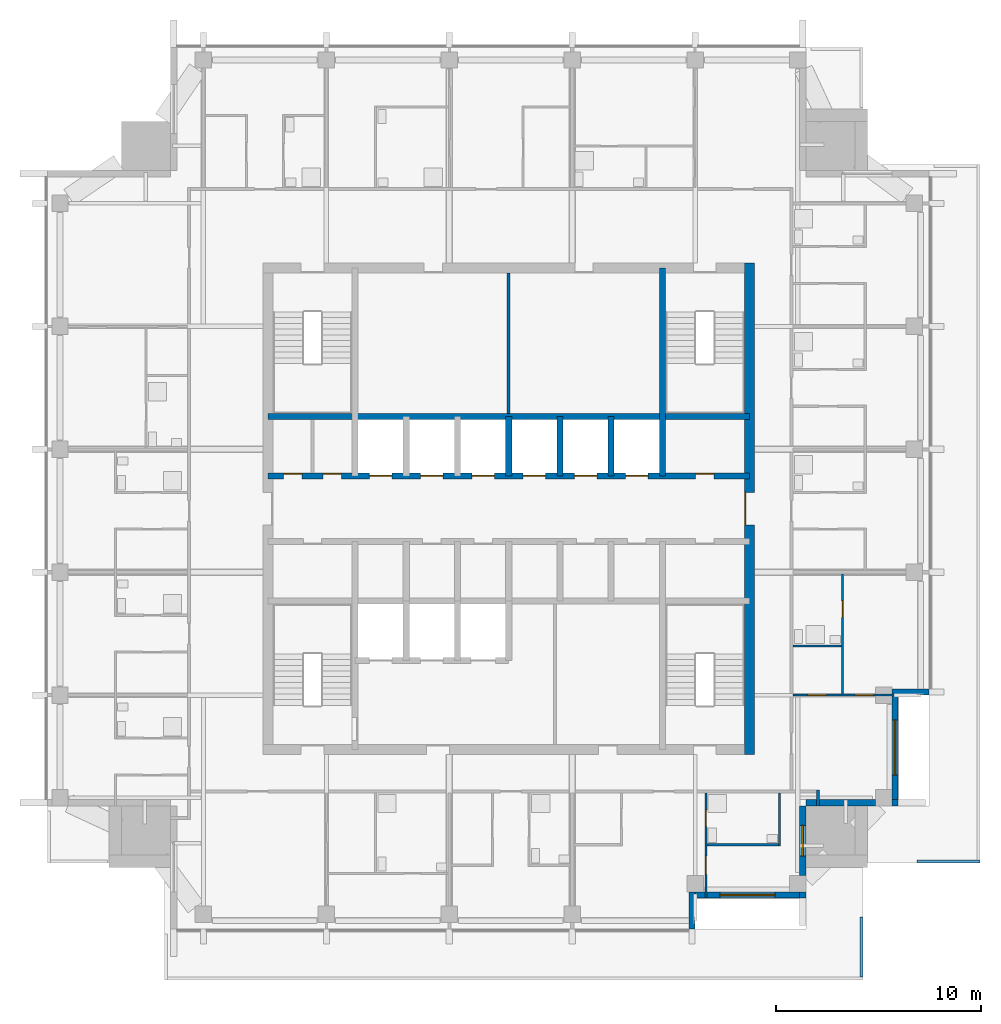
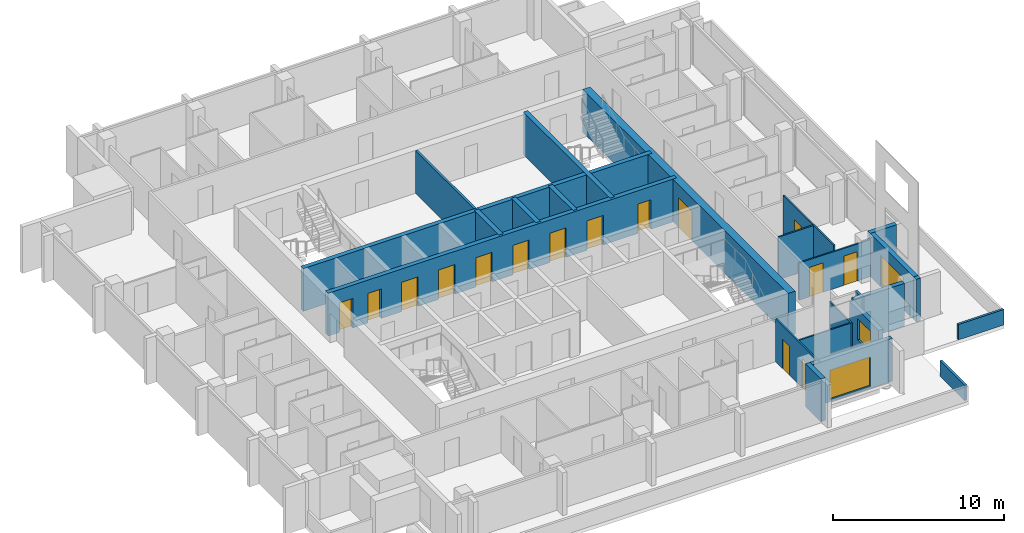
# One storey, part 6 of 11: 25 walls, 15 doors, 3 windows, 18 openings.
"""IFC4 building model written with IfcOpenShell, lengths in metres."""

from ifc_helpers import new_model, si_unit, direction, frame, frame_2d, origin, place, context, subcontext, project, spatial, rectangle, extrude, material, layer, layer_set, type_object, element, fill, save


model = new_model("IFC4")

# Units and contexts
model_context = context("Model", 3, precision=1e-05, world=origin(), true_north=direction((0.0, 1.0)))
body_context = subcontext(model_context, "Body", "Model", "MODEL_VIEW")
ifc_project = project(units=[si_unit("LENGTHUNIT", "METRE"), si_unit("AREAUNIT", "SQUARE_METRE"), si_unit("VOLUMEUNIT", "CUBIC_METRE"), si_unit("PLANEANGLEUNIT", "RADIAN"), si_unit("MASSUNIT", "GRAM", prefix="KILO")], contexts=[model_context])

# Site, building, storey
site_placement = place(None, origin())
site = spatial("IfcSite", under=ifc_project, at=site_placement, CompositionType="ELEMENT")
building_placement = place(site_placement, origin())
building = spatial("IfcBuilding", under=site, at=building_placement, Name="Amberfall Residences", CompositionType="ELEMENT")
storey_placement = place(building_placement, frame((0.0, 0.0, 238.89990234375)))
storey = spatial("IfcBuildingStorey", under=building, at=storey_placement, Name="L63", CompositionType="ELEMENT", Elevation=238.89990234375)

# Walls
ifc_material_1 = material(Name="Pale stone cladding on insulated backing", Category="masonry")
ifc_layer_1 = layer(ifc_material_1, 0.300048828125)
ifc_layer_set_1 = layer_set([ifc_layer_1], Name="Bronze clad wall 300")
wall_type_1 = type_object("IfcWallType", Name="Bronze clad wall 300", PredefinedType="SOLIDWALL", material=ifc_layer_set_1)
wall_1_placement = place(storey_placement, frame((83.449951171875, 25.0, 0.0), z_axis=(0.0, 0.0, 1.0), x_axis=(0.0, 1.0, 0.0)))
element("IfcWall", 1, at=wall_1_placement, inside=storey, type_object=wall_type_1, Name="External wall L63 S", PredefinedType="SOLIDWALL", context=body_context, shape_type="SweptSolid", body=[
    extrude(rectangle(XDim=1.800048828125, YDim=0.300048828125, at=frame_2d((0.89990234375, 0.0))), origin(), (0.0, 0.0, 1.0), 3.050048828125),
])
wall_2_placement = place(storey_placement, frame((88.85009765625, 26.5, 0.0), z_axis=(0.0, 0.0, 1.0), x_axis=(0.0, 1.0, 0.0)))
element("IfcWall", 2, at=wall_2_placement, inside=storey, type_object=wall_type_1, Name="External wall L63 SE", PredefinedType="SOLIDWALL", context=body_context, shape_type="SweptSolid", body=[
    extrude(rectangle(XDim=0.300048828125, YDim=0.300048828125, at=frame_2d((0.14990234375, 0.0))), origin(), (0.0, 0.0, 1.0), 3.050048828125),
])

# Wall, opening, window
wall_3_placement = place(storey_placement, frame((88.85009765625, 27.60009765625, 0.0), z_axis=(0.0, 0.0, 1.0), x_axis=(0.0, 1.0, 0.0)))
wall_3 = element("IfcWall", 3, at=wall_3_placement, inside=storey, type_object=wall_type_1, Name="External wall L63 SE", PredefinedType="SOLIDWALL", context=body_context, shape_type="SweptSolid", body=[
    extrude(rectangle(XDim=3.39990234375, YDim=0.300048828125, at=frame_2d((1.699951171875, 0.0))), origin(), (0.0, 0.0, 1.0), 3.050048828125),
])
opening_1_placement = place(wall_3_placement, frame((0.949951171875, 0.0, 0.89990234375)))
opening_1 = element("IfcOpeningElement", 4, at=opening_1_placement, cuts=wall_3, Name="Opening WN1", PredefinedType="OPENING", context=body_context, shape_type="SweptSolid", body=[
    extrude(rectangle(XDim=1.5, YDim=1.5, at=frame_2d((0.75, 0.75))), frame((0.0, 0.159912109375, 0.0), z_axis=(0.0, -1.0, 0.0), x_axis=(1.0, 0.0, 0.0)), (0.0, 0.0, 1.0), 0.320068359375),
])
ifc_material_2 = material(Name="Bronze aluminium framed glazing", Category="aluminium")
window_type_1 = type_object("IfcWindowType", Name="Window 1500 x 1500 bronze", PartitioningType="DOUBLE_PANEL_VERTICAL", PredefinedType="WINDOW", material=ifc_material_2)
window_1_placement = place(opening_1_placement, origin())
window_1 = element("IfcWindow", 5, at=window_1_placement, inside=storey, type_object=window_type_1, Name="Window L63 SE", OverallHeight=1.5, OverallWidth=1.5, PartitioningType="DOUBLE_PANEL_VERTICAL", PredefinedType="WINDOW", context=body_context, shape_type="SweptSolid", body=[
    extrude(rectangle(XDim=1.5, YDim=1.5, at=frame_2d((0.75, 0.75))), frame((0.0, 0.030029296875, 0.0), z_axis=(0.0, -1.0, 0.0), x_axis=(1.0, 0.0, 0.0)), (0.0, 0.0, 1.0), 0.06005859375),
])
fill(opening_1, window_1)

# Walls
wall_4_placement = place(storey_placement, frame((89.0, 31.14990234375, 0.0), z_axis=(0.0, 0.0, 1.0), x_axis=(1.0, 0.0, 0.0)))
element("IfcWall", 6, at=wall_4_placement, inside=storey, type_object=wall_type_1, Name="External wall L63 SE", PredefinedType="SOLIDWALL", context=body_context, shape_type="SweptSolid", body=[
    extrude(rectangle(XDim=3.39990234375, YDim=0.300048828125, at=frame_2d((1.699951171875, 0.0))), origin(), (0.0, 0.0, 1.0), 3.050048828125),
])
wall_5_placement = place(storey_placement, frame((93.199951171875, 31.14990234375, 0.0), z_axis=(0.0, 0.0, 1.0), x_axis=(1.0, 0.0, 0.0)))
element("IfcWall", 7, at=wall_5_placement, inside=storey, type_object=wall_type_1, Name="External wall L63 SE", PredefinedType="SOLIDWALL", context=body_context, shape_type="SweptSolid", body=[
    extrude(rectangle(XDim=0.300048828125, YDim=0.300048828125, at=frame_2d((0.14990234375, 0.0))), origin(), (0.0, 0.0, 1.0), 3.050048828125),
])
wall_6_placement = place(storey_placement, frame((93.199951171875, 36.550048828125, 0.0), z_axis=(0.0, 0.0, 1.0), x_axis=(1.0, 0.0, 0.0)))
element("IfcWall", 8, at=wall_6_placement, inside=storey, type_object=wall_type_1, Name="External wall L63 E", PredefinedType="SOLIDWALL", context=body_context, shape_type="SweptSolid", body=[
    extrude(rectangle(XDim=1.800048828125, YDim=0.300048828125, at=frame_2d((0.89990234375, 0.0))), origin(), (0.0, 0.0, 1.0), 3.050048828125),
])

# Wall, opening, window
wall_7_placement = place(storey_placement, frame((83.60009765625, 26.64990234375, 0.0), z_axis=(0.0, 0.0, 1.0), x_axis=(1.0, 0.0, 0.0)))
wall_7 = element("IfcWall", 9, at=wall_7_placement, inside=storey, type_object=wall_type_1, Name="Stone wall L63 S", PredefinedType="SOLIDWALL", context=body_context, shape_type="SweptSolid", body=[
    extrude(rectangle(XDim=5.099853515625, YDim=0.300048828125, at=frame_2d((2.5498046875, 0.0))), origin(), (0.0, 0.0, 1.0), 3.050048828125),
])
opening_2_placement = place(wall_7_placement, frame((1.199951171875, 0.0, 0.14990234375)))
opening_2 = element("IfcOpeningElement", 10, at=opening_2_placement, cuts=wall_7, Name="Opening WN4", PredefinedType="OPENING", context=body_context, shape_type="SweptSolid", body=[
    extrude(rectangle(XDim=2.699951171875, YDim=2.10009765625, at=frame_2d((1.35009765625, 1.050048828125))), frame((0.0, 0.159912109375, 0.0), z_axis=(0.0, -1.0, 0.0), x_axis=(1.0, 0.0, 0.0)), (0.0, 0.0, 1.0), 0.320068359375),
])
window_type_2 = type_object("IfcWindowType", Name="Glazed opening 2700 x 2100 bronze", PartitioningType="DOUBLE_PANEL_VERTICAL", PredefinedType="WINDOW", material=ifc_material_2)
window_2_placement = place(opening_2_placement, origin())
window_2 = element("IfcWindow", 11, at=window_2_placement, inside=storey, type_object=window_type_2, Name="Window L63 S", OverallHeight=2.10009765625, OverallWidth=2.699951171875, PartitioningType="DOUBLE_PANEL_VERTICAL", PredefinedType="WINDOW", context=body_context, shape_type="SweptSolid", body=[
    extrude(rectangle(XDim=2.699951171875, YDim=2.10009765625, at=frame_2d((1.35009765625, 1.050048828125))), frame((0.0, 0.030029296875, 0.0), z_axis=(0.0, -1.0, 0.0), x_axis=(1.0, 0.0, 0.0)), (0.0, 0.0, 1.0), 0.06005859375),
])
fill(opening_2, window_2)

wall_8_placement = place(storey_placement, frame((93.35009765625, 31.300048828125, 0.0), z_axis=(0.0, 0.0, 1.0), x_axis=(0.0, 1.0, 0.0)))
wall_8 = element("IfcWall", 12, at=wall_8_placement, inside=storey, type_object=wall_type_1, Name="Stone wall L63 E", PredefinedType="SOLIDWALL", context=body_context, shape_type="SweptSolid", body=[
    extrude(rectangle(XDim=5.099853515625, YDim=0.300048828125, at=frame_2d((2.5498046875, 0.0))), origin(), (0.0, 0.0, 1.0), 3.050048828125),
])
opening_3_placement = place(wall_8_placement, frame((1.199951171875, 0.0, 0.14990234375)))
opening_3 = element("IfcOpeningElement", 13, at=opening_3_placement, cuts=wall_8, Name="Opening WN4", PredefinedType="OPENING", context=body_context, shape_type="SweptSolid", body=[
    extrude(rectangle(XDim=2.699951171875, YDim=2.10009765625, at=frame_2d((1.35009765625, 1.050048828125))), frame((0.0, 0.159912109375, 0.0), z_axis=(0.0, -1.0, 0.0), x_axis=(1.0, 0.0, 0.0)), (0.0, 0.0, 1.0), 0.320068359375),
])
window_3_placement = place(opening_3_placement, origin())
window_3 = element("IfcWindow", 14, at=window_3_placement, inside=storey, type_object=window_type_2, Name="Window L63 E", OverallHeight=2.10009765625, OverallWidth=2.699951171875, PartitioningType="DOUBLE_PANEL_VERTICAL", PredefinedType="WINDOW", context=body_context, shape_type="SweptSolid", body=[
    extrude(rectangle(XDim=2.699951171875, YDim=2.10009765625, at=frame_2d((1.35009765625, 1.050048828125))), frame((0.0, 0.030029296875, 0.0), z_axis=(0.0, -1.0, 0.0), x_axis=(1.0, 0.0, 0.0)), (0.0, 0.0, 1.0), 0.06005859375),
])
fill(opening_3, window_3)

# Wall, openings, doors
ifc_material_3 = material(Name="Concrete C50", Category="concrete")
ifc_layer_2 = layer(ifc_material_3, 0.300048828125)
ifc_layer_set_2 = layer_set([ifc_layer_2], Name="Core wall 300 C50")
wall_type_2 = type_object("IfcWallType", Name="Core wall 300 C50", PredefinedType="SHEAR", material=ifc_layer_set_2)
wall_9_placement = place(storey_placement, frame((62.75, 47.10009765625, 0.0), z_axis=(0.0, 0.0, 1.0), x_axis=(1.0, 0.0, 0.0)))
wall_9 = element("IfcWall", 15, at=wall_9_placement, inside=storey, type_object=wall_type_2, Name="Core wall RW10 L63 H136", PredefinedType="SHEAR", context=body_context, shape_type="SweptSolid", body=[
    extrude(rectangle(XDim=23.5, YDim=0.300048828125, at=frame_2d((11.75, 0.0))), origin(), (0.0, 0.0, 1.0), 3.050048828125),
])
opening_4_placement = place(wall_9_placement, frame((0.762451171875, 0.0, 0.0)))
opening_4 = element("IfcOpeningElement", 16, at=opening_4_placement, cuts=wall_9, Name="Opening RD1", PredefinedType="OPENING", context=body_context, shape_type="SweptSolid", body=[
    extrude(rectangle(XDim=0.89990234375, YDim=2.10009765625, at=frame_2d((0.449951171875, 1.050048828125))), frame((0.0, 0.159912109375, 0.0), z_axis=(0.0, -1.0, 0.0), x_axis=(1.0, 0.0, 0.0)), (0.0, 0.0, 1.0), 0.320068359375),
])
opening_5_placement = place(wall_9_placement, frame((2.6875, 0.0, 0.0)))
opening_5 = element("IfcOpeningElement", 17, at=opening_5_placement, cuts=wall_9, Name="Opening RD1", PredefinedType="OPENING", context=body_context, shape_type="SweptSolid", body=[
    extrude(rectangle(XDim=0.89990234375, YDim=2.10009765625, at=frame_2d((0.449951171875, 1.050048828125))), frame((0.0, 0.159912109375, 0.0), z_axis=(0.0, -1.0, 0.0), x_axis=(1.0, 0.0, 0.0)), (0.0, 0.0, 1.0), 0.320068359375),
])
opening_6_placement = place(wall_9_placement, frame((20.875, 0.0, 0.0)))
opening_6 = element("IfcOpeningElement", 18, at=opening_6_placement, cuts=wall_9, Name="Opening RD1", PredefinedType="OPENING", context=body_context, shape_type="SweptSolid", body=[
    extrude(rectangle(XDim=0.89990234375, YDim=2.10009765625, at=frame_2d((0.449951171875, 1.050048828125))), frame((0.0, 0.159912109375, 0.0), z_axis=(0.0, -1.0, 0.0), x_axis=(1.0, 0.0, 0.0)), (0.0, 0.0, 1.0), 0.320068359375),
])
opening_7_placement = place(wall_9_placement, frame((4.949951171875, 0.0, 0.0)))
opening_7 = element("IfcOpeningElement", 19, at=opening_7_placement, cuts=wall_9, Name="Opening LD1", PredefinedType="OPENING", context=body_context, shape_type="SweptSolid", body=[
    extrude(rectangle(XDim=1.10009765625, YDim=2.10009765625, at=frame_2d((0.550048828125, 1.050048828125))), frame((0.0, 0.159912109375, 0.0), z_axis=(0.0, -1.0, 0.0), x_axis=(1.0, 0.0, 0.0)), (0.0, 0.0, 1.0), 0.320068359375),
])
opening_8_placement = place(wall_9_placement, frame((7.449951171875, 0.0, 0.0)))
opening_8 = element("IfcOpeningElement", 20, at=opening_8_placement, cuts=wall_9, Name="Opening LD1", PredefinedType="OPENING", context=body_context, shape_type="SweptSolid", body=[
    extrude(rectangle(XDim=1.10009765625, YDim=2.10009765625, at=frame_2d((0.550048828125, 1.050048828125))), frame((0.0, 0.159912109375, 0.0), z_axis=(0.0, -1.0, 0.0), x_axis=(1.0, 0.0, 0.0)), (0.0, 0.0, 1.0), 0.320068359375),
])
opening_9_placement = place(wall_9_placement, frame((9.949951171875, 0.0, 0.0)))
opening_9 = element("IfcOpeningElement", 21, at=opening_9_placement, cuts=wall_9, Name="Opening LD1", PredefinedType="OPENING", context=body_context, shape_type="SweptSolid", body=[
    extrude(rectangle(XDim=1.10009765625, YDim=2.10009765625, at=frame_2d((0.550048828125, 1.050048828125))), frame((0.0, 0.159912109375, 0.0), z_axis=(0.0, -1.0, 0.0), x_axis=(1.0, 0.0, 0.0)), (0.0, 0.0, 1.0), 0.320068359375),
])
opening_10_placement = place(wall_9_placement, frame((12.449951171875, 0.0, 0.0)))
opening_10 = element("IfcOpeningElement", 22, at=opening_10_placement, cuts=wall_9, Name="Opening LD1", PredefinedType="OPENING", context=body_context, shape_type="SweptSolid", body=[
    extrude(rectangle(XDim=1.10009765625, YDim=2.10009765625, at=frame_2d((0.550048828125, 1.050048828125))), frame((0.0, 0.159912109375, 0.0), z_axis=(0.0, -1.0, 0.0), x_axis=(1.0, 0.0, 0.0)), (0.0, 0.0, 1.0), 0.320068359375),
])
opening_11_placement = place(wall_9_placement, frame((14.949951171875, 0.0, 0.0)))
opening_11 = element("IfcOpeningElement", 23, at=opening_11_placement, cuts=wall_9, Name="Opening LD1", PredefinedType="OPENING", context=body_context, shape_type="SweptSolid", body=[
    extrude(rectangle(XDim=1.10009765625, YDim=2.10009765625, at=frame_2d((0.550048828125, 1.050048828125))), frame((0.0, 0.159912109375, 0.0), z_axis=(0.0, -1.0, 0.0), x_axis=(1.0, 0.0, 0.0)), (0.0, 0.0, 1.0), 0.320068359375),
])
opening_12_placement = place(wall_9_placement, frame((17.449951171875, 0.0, 0.0)))
opening_12 = element("IfcOpeningElement", 24, at=opening_12_placement, cuts=wall_9, Name="Opening LD1", PredefinedType="OPENING", context=body_context, shape_type="SweptSolid", body=[
    extrude(rectangle(XDim=1.10009765625, YDim=2.10009765625, at=frame_2d((0.550048828125, 1.050048828125))), frame((0.0, 0.159912109375, 0.0), z_axis=(0.0, -1.0, 0.0), x_axis=(1.0, 0.0, 0.0)), (0.0, 0.0, 1.0), 0.320068359375),
])
ifc_material_4 = material(Name="Steel fire door set", Category="steel")
door_type_1 = type_object("IfcDoorType", Name="Lift landing door 1100 x 2100", OperationType="DOUBLE_DOOR_SLIDING", PredefinedType="DOOR", material=ifc_material_4)
door_1_placement = place(opening_7_placement, origin())
door_1 = element("IfcDoor", 25, at=door_1_placement, inside=storey, type_object=door_type_1, Name="Landing door HP1 L63", OperationType="DOUBLE_DOOR_SLIDING", OverallHeight=2.10009765625, OverallWidth=1.10009765625, PredefinedType="DOOR", context=body_context, shape_type="SweptSolid", body=[
    extrude(rectangle(XDim=1.10009765625, YDim=2.10009765625, at=frame_2d((0.550048828125, 1.050048828125))), frame((0.0, 0.02490234375, 0.0), z_axis=(0.0, -1.0, 0.0), x_axis=(1.0, 0.0, 0.0)), (0.0, 0.0, 1.0), 0.050048828125),
])
fill(opening_7, door_1)
door_2_placement = place(opening_8_placement, origin())
door_2 = element("IfcDoor", 26, at=door_2_placement, inside=storey, type_object=door_type_1, Name="Landing door HP2 L63", OperationType="DOUBLE_DOOR_SLIDING", OverallHeight=2.10009765625, OverallWidth=1.10009765625, PredefinedType="DOOR", context=body_context, shape_type="SweptSolid", body=[
    extrude(rectangle(XDim=1.10009765625, YDim=2.10009765625, at=frame_2d((0.550048828125, 1.050048828125))), frame((0.0, 0.02490234375, 0.0), z_axis=(0.0, -1.0, 0.0), x_axis=(1.0, 0.0, 0.0)), (0.0, 0.0, 1.0), 0.050048828125),
])
fill(opening_8, door_2)
door_3_placement = place(opening_9_placement, origin())
door_3 = element("IfcDoor", 27, at=door_3_placement, inside=storey, type_object=door_type_1, Name="Landing door HP3 L63", OperationType="DOUBLE_DOOR_SLIDING", OverallHeight=2.10009765625, OverallWidth=1.10009765625, PredefinedType="DOOR", context=body_context, shape_type="SweptSolid", body=[
    extrude(rectangle(XDim=1.10009765625, YDim=2.10009765625, at=frame_2d((0.550048828125, 1.050048828125))), frame((0.0, 0.02490234375, 0.0), z_axis=(0.0, -1.0, 0.0), x_axis=(1.0, 0.0, 0.0)), (0.0, 0.0, 1.0), 0.050048828125),
])
fill(opening_9, door_3)
door_4_placement = place(opening_10_placement, origin())
door_4 = element("IfcDoor", 28, at=door_4_placement, inside=storey, type_object=door_type_1, Name="Landing door HP4 L63", OperationType="DOUBLE_DOOR_SLIDING", OverallHeight=2.10009765625, OverallWidth=1.10009765625, PredefinedType="DOOR", context=body_context, shape_type="SweptSolid", body=[
    extrude(rectangle(XDim=1.10009765625, YDim=2.10009765625, at=frame_2d((0.550048828125, 1.050048828125))), frame((0.0, 0.02490234375, 0.0), z_axis=(0.0, -1.0, 0.0), x_axis=(1.0, 0.0, 0.0)), (0.0, 0.0, 1.0), 0.050048828125),
])
fill(opening_10, door_4)
door_5_placement = place(opening_11_placement, origin())
door_5 = element("IfcDoor", 29, at=door_5_placement, inside=storey, type_object=door_type_1, Name="Landing door HP5 L63", OperationType="DOUBLE_DOOR_SLIDING", OverallHeight=2.10009765625, OverallWidth=1.10009765625, PredefinedType="DOOR", context=body_context, shape_type="SweptSolid", body=[
    extrude(rectangle(XDim=1.10009765625, YDim=2.10009765625, at=frame_2d((0.550048828125, 1.050048828125))), frame((0.0, 0.02490234375, 0.0), z_axis=(0.0, -1.0, 0.0), x_axis=(1.0, 0.0, 0.0)), (0.0, 0.0, 1.0), 0.050048828125),
])
fill(opening_11, door_5)
door_6_placement = place(opening_12_placement, origin())
door_6 = element("IfcDoor", 30, at=door_6_placement, inside=storey, type_object=door_type_1, Name="Landing door HP6 L63", OperationType="DOUBLE_DOOR_SLIDING", OverallHeight=2.10009765625, OverallWidth=1.10009765625, PredefinedType="DOOR", context=body_context, shape_type="SweptSolid", body=[
    extrude(rectangle(XDim=1.10009765625, YDim=2.10009765625, at=frame_2d((0.550048828125, 1.050048828125))), frame((0.0, 0.02490234375, 0.0), z_axis=(0.0, -1.0, 0.0), x_axis=(1.0, 0.0, 0.0)), (0.0, 0.0, 1.0), 0.050048828125),
])
fill(opening_12, door_6)
door_type_2 = type_object("IfcDoorType", Name="Service room door 900 x 2100", OperationType="SINGLE_SWING_LEFT", PredefinedType="DOOR", material=ifc_material_4)
door_7_placement = place(opening_4_placement, origin())
door_7 = element("IfcDoor", 31, at=door_7_placement, inside=storey, type_object=door_type_2, Name="RD1 L63", OperationType="SINGLE_SWING_LEFT", OverallHeight=2.10009765625, OverallWidth=0.89990234375, PredefinedType="DOOR", context=body_context, shape_type="SweptSolid", body=[
    extrude(rectangle(XDim=0.89990234375, YDim=2.10009765625, at=frame_2d((0.449951171875, 1.050048828125))), frame((0.0, 0.1376953125, 0.0), z_axis=(0.0, -1.0, 0.0), x_axis=(1.0, 0.0, 0.0)), (0.0, 0.0, 1.0), 0.050048828125),
])
fill(opening_4, door_7)
door_8_placement = place(opening_5_placement, origin())
door_8 = element("IfcDoor", 32, at=door_8_placement, inside=storey, type_object=door_type_2, Name="RD1 L63", OperationType="SINGLE_SWING_RIGHT", OverallHeight=2.10009765625, OverallWidth=0.89990234375, PredefinedType="DOOR", context=body_context, shape_type="SweptSolid", body=[
    extrude(rectangle(XDim=0.89990234375, YDim=2.10009765625, at=frame_2d((0.449951171875, 1.050048828125))), frame((0.0, 0.1376953125, 0.0), z_axis=(0.0, -1.0, 0.0), x_axis=(1.0, 0.0, 0.0)), (0.0, 0.0, 1.0), 0.050048828125),
])
fill(opening_5, door_8)
door_9_placement = place(opening_6_placement, origin())
door_9 = element("IfcDoor", 33, at=door_9_placement, inside=storey, type_object=door_type_2, Name="RD1 L63", OperationType="SINGLE_SWING_LEFT", OverallHeight=2.10009765625, OverallWidth=0.89990234375, PredefinedType="DOOR", context=body_context, shape_type="SweptSolid", body=[
    extrude(rectangle(XDim=0.89990234375, YDim=2.10009765625, at=frame_2d((0.449951171875, 1.050048828125))), frame((0.0, 0.1376953125, 0.0), z_axis=(0.0, -1.0, 0.0), x_axis=(1.0, 0.0, 0.0)), (0.0, 0.0, 1.0), 0.050048828125),
])
fill(opening_6, door_9)

# Walls
wall_10_placement = place(storey_placement, frame((62.75, 50.0, 0.0), z_axis=(0.0, 0.0, 1.0), x_axis=(1.0, 0.0, 0.0)))
element("IfcWall", 34, at=wall_10_placement, inside=storey, type_object=wall_type_2, Name="Core wall RW10 L63 H165", PredefinedType="SHEAR", context=body_context, shape_type="SweptSolid", body=[
    extrude(rectangle(XDim=23.5, YDim=0.300048828125, at=frame_2d((11.75, 0.0))), origin(), (0.0, 0.0, 1.0), 3.050048828125),
])
wall_11_placement = place(storey_placement, frame((82.0, 47.10009765625, 0.0), z_axis=(0.0, 0.0, 1.0), x_axis=(0.0, 1.0, 0.0)))
element("IfcWall", 35, at=wall_11_placement, inside=storey, type_object=wall_type_2, Name="Core wall RW10 L63 V195N", PredefinedType="SHEAR", context=body_context, shape_type="SweptSolid", body=[
    extrude(rectangle(XDim=10.14990234375, YDim=0.300048828125, at=frame_2d((5.074951171875, 0.0))), origin(), (0.0, 0.0, 1.0), 3.050048828125),
])
for number, where, z_axis, x_axis, name in (
    (36, (74.5, 47.10009765625, 0.0), (0.0, 0.0, 1.0), (0.0, 1.0, 0.0), "Core wall RW10 L63 HPD3"),
    (37, (77.0, 47.10009765625, 0.0), (0.0, 0.0, 1.0), (0.0, 1.0, 0.0), "Core wall RW10 L63 HPD4"),
    (38, (79.5, 47.10009765625, 0.0), (0.0, 0.0, 1.0), (0.0, 1.0, 0.0), "Core wall RW10 L63 HPD5"),
):
    element("IfcWall", number, at=place(storey_placement, frame(where, z_axis=z_axis, x_axis=x_axis)), inside=storey, type_object=wall_type_2, Name=name, PredefinedType="SHEAR", context=body_context, shape_type="SweptSolid", body=[
        extrude(rectangle(XDim=2.89990234375, YDim=0.300048828125, at=frame_2d((1.449951171875, 0.0))), origin(), (0.0, 0.0, 1.0), 3.050048828125),
    ])

# Wall, opening, door
ifc_layer_3 = layer(ifc_material_3, 0.5)
ifc_layer_set_3 = layer_set([ifc_layer_3], Name="Core wall 500 C50")
wall_type_3 = type_object("IfcWallType", Name="Core wall 500 C50", PredefinedType="SHEAR", material=ifc_layer_set_3)
wall_12_placement = place(storey_placement, frame((86.25, 33.5, 0.0), z_axis=(0.0, 0.0, 1.0), x_axis=(0.0, 1.0, 0.0)))
wall_12 = element("IfcWall", 39, at=wall_12_placement, inside=storey, type_object=wall_type_3, Name="Core wall RW9 L63 OE", PredefinedType="SHEAR", context=body_context, shape_type="SweptSolid", body=[
    extrude(rectangle(XDim=24.0, YDim=0.5, at=frame_2d((12.0, 0.0))), origin(), (0.0, 0.0, 1.0), 3.050048828125),
])
opening_13_placement = place(wall_12_placement, frame((11.199951171875, 0.0, 0.0)))
opening_13 = element("IfcOpeningElement", 40, at=opening_13_placement, cuts=wall_12, Name="Opening LB1", PredefinedType="OPENING", context=body_context, shape_type="SweptSolid", body=[
    extrude(rectangle(XDim=1.60009765625, YDim=2.10009765625, at=frame_2d((0.800048828125, 1.050048828125))), frame((0.0, 0.260009765625, 0.0), z_axis=(0.0, -1.0, 0.0), x_axis=(1.0, 0.0, 0.0)), (0.0, 0.0, 1.0), 0.52001953125),
])
door_type_3 = type_object("IfcDoorType", Name="Lift lobby double door 1600 x 2100", OperationType="DOUBLE_DOOR_SINGLE_SWING", PredefinedType="DOOR", material=ifc_material_4)
door_10_placement = place(opening_13_placement, origin())
door_10 = element("IfcDoor", 41, at=door_10_placement, inside=storey, type_object=door_type_3, Name="LB1 L63", OperationType="DOUBLE_DOOR_SINGLE_SWING", OverallHeight=2.10009765625, OverallWidth=1.60009765625, PredefinedType="DOOR", context=body_context, shape_type="SweptSolid", body=[
    extrude(rectangle(XDim=1.60009765625, YDim=2.10009765625, at=frame_2d((0.800048828125, 1.050048828125))), frame((0.0, 0.2373046875, 0.0), z_axis=(0.0, -1.0, 0.0), x_axis=(1.0, 0.0, 0.0)), (0.0, 0.0, 1.0), 0.050048828125),
])
fill(opening_13, door_10)

# Wall, openings, doors
ifc_material_5 = material(Name="Gypsum board on metal stud")
ifc_layer_4 = layer(ifc_material_5, 0.10009765625)
ifc_layer_set_4 = layer_set([ifc_layer_4], Name="Flat partition 100")
wall_type_4 = type_object("IfcWallType", Name="Flat partition 100", PredefinedType="PARTITIONING", material=ifc_layer_set_4)
wall_13_placement = place(storey_placement, frame((84.125, 31.625, 0.0), z_axis=(0.0, 0.0, 1.0), x_axis=(0.0, -1.0, 0.0)))
wall_13 = element("IfcWall", 42, at=wall_13_placement, inside=storey, type_object=wall_type_4, Name="Partition 018", PredefinedType="PARTITIONING", context=body_context, shape_type="SweptSolid", body=[
    extrude(rectangle(XDim=5.125, YDim=0.10009765625, at=frame_2d((2.5625, 0.0))), origin(), (0.0, 0.0, 1.0), 3.050048828125),
])
opening_14_placement = place(wall_13_placement, frame((3.074951171875, 0.0, 0.0)))
opening_14 = element("IfcOpeningElement", 43, at=opening_14_placement, cuts=wall_13, Name="Opening D41", PredefinedType="OPENING", context=body_context, shape_type="SweptSolid", body=[
    extrude(rectangle(XDim=0.89990234375, YDim=2.10009765625, at=frame_2d((0.449951171875, 1.050048828125))), frame((0.0, 0.06005859375, 0.0), z_axis=(0.0, -1.0, 0.0), x_axis=(1.0, 0.0, 0.0)), (0.0, 0.0, 1.0), 0.1201171875),
])
opening_15_placement = place(wall_13_placement, frame((0.824951171875, 0.0, 0.0)))
opening_15 = element("IfcOpeningElement", 44, at=opening_15_placement, cuts=wall_13, Name="Opening D42", PredefinedType="OPENING", context=body_context, shape_type="SweptSolid", body=[
    extrude(rectangle(XDim=0.800048828125, YDim=2.10009765625, at=frame_2d((0.39990234375, 1.050048828125))), frame((0.0, 0.06005859375, 0.0), z_axis=(0.0, -1.0, 0.0), x_axis=(1.0, 0.0, 0.0)), (0.0, 0.0, 1.0), 0.1201171875),
])
ifc_material_6 = material(Name="Timber", Category="wood")
door_type_4 = type_object("IfcDoorType", Name="Bathroom door 800 x 2100", OperationType="SINGLE_SWING_LEFT", PredefinedType="DOOR", material=ifc_material_6)
door_11_placement = place(opening_15_placement, origin())
door_11 = element("IfcDoor", 45, at=door_11_placement, inside=storey, type_object=door_type_4, Name="Door 6303 bath1", OperationType="SINGLE_SWING_LEFT", OverallHeight=2.10009765625, OverallWidth=0.800048828125, PredefinedType="DOOR", context=body_context, shape_type="SweptSolid", body=[
    extrude(rectangle(XDim=0.800048828125, YDim=2.10009765625, at=frame_2d((0.39990234375, 1.050048828125))), frame((0.0, 0.02490234375, 0.0), z_axis=(0.0, -1.0, 0.0), x_axis=(1.0, 0.0, 0.0)), (0.0, 0.0, 1.0), 0.050048828125),
])
fill(opening_15, door_11)
door_type_5 = type_object("IfcDoorType", Name="Internal door 900 x 2100", OperationType="SINGLE_SWING_LEFT", PredefinedType="DOOR", material=ifc_material_6)
door_12_placement = place(opening_14_placement, origin())
door_12 = element("IfcDoor", 46, at=door_12_placement, inside=storey, type_object=door_type_5, Name="Door 6303 bedroom1", OperationType="SINGLE_SWING_LEFT", OverallHeight=2.10009765625, OverallWidth=0.89990234375, PredefinedType="DOOR", context=body_context, shape_type="SweptSolid", body=[
    extrude(rectangle(XDim=0.89990234375, YDim=2.10009765625, at=frame_2d((0.449951171875, 1.050048828125))), frame((0.0, 0.02490234375, 0.0), z_axis=(0.0, -1.0, 0.0), x_axis=(1.0, 0.0, 0.0)), (0.0, 0.0, 1.0), 0.050048828125),
])
fill(opening_14, door_12)

# Wall
wall_14_placement = place(storey_placement, frame((87.72509765625, 29.050048828125, 0.0), z_axis=(0.0, 0.0, 1.0), x_axis=(0.0, 1.0, 0.0)))
element("IfcWall", 47, at=wall_14_placement, inside=storey, type_object=wall_type_4, Name="Partition 019", PredefinedType="PARTITIONING", context=body_context, shape_type="SweptSolid", body=[
    extrude(rectangle(XDim=2.574951171875, YDim=0.10009765625, at=frame_2d((1.28759765625, 0.0))), origin(), (0.0, 0.0, 1.0), 3.050048828125),
])

# Wall, opening, door
wall_15_placement = place(storey_placement, frame((90.800048828125, 36.449951171875, 0.0), z_axis=(0.0, 0.0, 1.0), x_axis=(0.0, 1.0, 0.0)))
wall_15 = element("IfcWall", 48, at=wall_15_placement, inside=storey, type_object=wall_type_4, Name="Partition 020", PredefinedType="PARTITIONING", context=body_context, shape_type="SweptSolid", body=[
    extrude(rectangle(XDim=5.875, YDim=0.10009765625, at=frame_2d((2.9375, 0.0))), origin(), (0.0, 0.0, 1.0), 3.050048828125),
])
opening_16_placement = place(wall_15_placement, frame((3.75, 0.0, 0.0)))
opening_16 = element("IfcOpeningElement", 49, at=opening_16_placement, cuts=wall_15, Name="Opening D42", PredefinedType="OPENING", context=body_context, shape_type="SweptSolid", body=[
    extrude(rectangle(XDim=0.800048828125, YDim=2.10009765625, at=frame_2d((0.39990234375, 1.050048828125))), frame((0.0, 0.06005859375, 0.0), z_axis=(0.0, -1.0, 0.0), x_axis=(1.0, 0.0, 0.0)), (0.0, 0.0, 1.0), 0.1201171875),
])
door_13_placement = place(opening_16_placement, origin())
door_13 = element("IfcDoor", 50, at=door_13_placement, inside=storey, type_object=door_type_4, Name="Door 6304 bath1", OperationType="SINGLE_SWING_LEFT", OverallHeight=2.10009765625, OverallWidth=0.800048828125, PredefinedType="DOOR", context=body_context, shape_type="SweptSolid", body=[
    extrude(rectangle(XDim=0.800048828125, YDim=2.10009765625, at=frame_2d((0.39990234375, 1.050048828125))), frame((0.0, 0.02490234375, 0.0), z_axis=(0.0, -1.0, 0.0), x_axis=(1.0, 0.0, 0.0)), (0.0, 0.0, 1.0), 0.050048828125),
])
fill(opening_16, door_13)

# Wall
wall_16_placement = place(storey_placement, frame((88.375, 38.800048828125, 0.0), z_axis=(0.0, 0.0, 1.0), x_axis=(1.0, 0.0, 0.0)))
element("IfcWall", 51, at=wall_16_placement, inside=storey, type_object=wall_type_4, Name="Partition 041", PredefinedType="PARTITIONING", context=body_context, shape_type="SweptSolid", body=[
    extrude(rectangle(XDim=2.375, YDim=0.10009765625, at=frame_2d((1.1875, 0.0))), origin(), (0.0, 0.0, 1.0), 3.050048828125),
])

# Wall, openings, doors
wall_17_placement = place(storey_placement, frame((88.375, 36.39990234375, 0.0), z_axis=(0.0, 0.0, 1.0), x_axis=(1.0, 0.0, 0.0)))
wall_17 = element("IfcWall", 52, at=wall_17_placement, inside=storey, type_object=wall_type_4, Name="Partition 043", PredefinedType="PARTITIONING", context=body_context, shape_type="SweptSolid", body=[
    extrude(rectangle(XDim=5.125, YDim=0.10009765625, at=frame_2d((2.5625, 0.0))), origin(), (0.0, 0.0, 1.0), 2.647216796875),
])
opening_17_placement = place(wall_17_placement, frame((0.72509765625, 0.0, 0.0)))
opening_17 = element("IfcOpeningElement", 53, at=opening_17_placement, cuts=wall_17, Name="Opening D41", PredefinedType="OPENING", context=body_context, shape_type="SweptSolid", body=[
    extrude(rectangle(XDim=0.89990234375, YDim=2.10009765625, at=frame_2d((0.449951171875, 1.050048828125))), frame((0.0, 0.06005859375, 0.0), z_axis=(0.0, -1.0, 0.0), x_axis=(1.0, 0.0, 0.0)), (0.0, 0.0, 1.0), 0.1201171875),
])
opening_18_placement = place(wall_17_placement, frame((3.02490234375, 0.0, 0.0)))
opening_18 = element("IfcOpeningElement", 54, at=opening_18_placement, cuts=wall_17, Name="Opening D41", PredefinedType="OPENING", context=body_context, shape_type="SweptSolid", body=[
    extrude(rectangle(XDim=0.89990234375, YDim=2.10009765625, at=frame_2d((0.449951171875, 1.050048828125))), frame((0.0, 0.06005859375, 0.0), z_axis=(0.0, -1.0, 0.0), x_axis=(1.0, 0.0, 0.0)), (0.0, 0.0, 1.0), 0.1201171875),
])
door_14_placement = place(opening_17_placement, origin())
door_14 = element("IfcDoor", 55, at=door_14_placement, inside=storey, type_object=door_type_5, Name="Door 6304 kitchen", OperationType="SINGLE_SWING_LEFT", OverallHeight=2.10009765625, OverallWidth=0.89990234375, PredefinedType="DOOR", context=body_context, shape_type="SweptSolid", body=[
    extrude(rectangle(XDim=0.89990234375, YDim=2.10009765625, at=frame_2d((0.449951171875, 1.050048828125))), frame((0.0, 0.02490234375, 0.0), z_axis=(0.0, -1.0, 0.0), x_axis=(1.0, 0.0, 0.0)), (0.0, 0.0, 1.0), 0.050048828125),
])
fill(opening_17, door_14)
door_15_placement = place(opening_18_placement, origin())
door_15 = element("IfcDoor", 56, at=door_15_placement, inside=storey, type_object=door_type_5, Name="Door 6304 bedroom1", OperationType="SINGLE_SWING_LEFT", OverallHeight=2.10009765625, OverallWidth=0.89990234375, PredefinedType="DOOR", context=body_context, shape_type="SweptSolid", body=[
    extrude(rectangle(XDim=0.89990234375, YDim=2.10009765625, at=frame_2d((0.449951171875, 1.050048828125))), frame((0.0, 0.02490234375, 0.0), z_axis=(0.0, -1.0, 0.0), x_axis=(1.0, 0.0, 0.0)), (0.0, 0.0, 1.0), 0.050048828125),
])
fill(opening_18, door_15)

# Walls
wall_18_placement = place(storey_placement, frame((84.175048828125, 29.10009765625, 0.0), z_axis=(0.0, 0.0, 1.0), x_axis=(1.0, 0.0, 0.0)))
element("IfcWall", 57, at=wall_18_placement, inside=storey, type_object=wall_type_4, Name="Partition 047", PredefinedType="PARTITIONING", context=body_context, shape_type="SweptSolid", body=[
    extrude(rectangle(XDim=3.5, YDim=0.10009765625, at=frame_2d((1.75, 0.0))), origin(), (0.0, 0.0, 1.0), 3.050048828125),
])
ifc_material_7 = material(Name="Blockwork, plastered", Category="masonry")
ifc_layer_5 = layer(ifc_material_7, 0.14990234375)
ifc_layer_set_5 = layer_set([ifc_layer_5], Name="Flat separating wall 150")
wall_type_5 = type_object("IfcWallType", Name="Flat separating wall 150", PredefinedType="PARTITIONING", material=ifc_layer_set_5)
wall_19_placement = place(storey_placement, frame((89.60009765625, 31.0, 0.0), z_axis=(0.0, 0.0, 1.0), x_axis=(0.0, 1.0, 0.0)))
element("IfcWall", 58, at=wall_19_placement, inside=storey, type_object=wall_type_5, Name="Separating wall 058", PredefinedType="PARTITIONING", context=body_context, shape_type="SweptSolid", body=[
    extrude(rectangle(XDim=0.77490234375, YDim=0.14990234375, at=frame_2d((0.387451171875, 0.0))), origin(), (0.0, 0.0, 1.0), 3.050048828125),
])
ifc_material_8 = material(Name="Concrete C40", Category="concrete")
ifc_layer_6 = layer(ifc_material_8, 0.14990234375)
ifc_layer_set_6 = layer_set([ifc_layer_6], Name="Ledge parapet 150")
wall_type_6 = type_object("IfcWallType", Name="Ledge parapet 150", PredefinedType="PARAPET", material=ifc_layer_set_6)
wall_20_placement = place(storey_placement, frame((91.72509765625, 22.64990234375, 0.0), z_axis=(0.0, 0.0, 1.0), x_axis=(0.0, 1.0, 0.0)))
element("IfcWall", 59, at=wall_20_placement, inside=storey, type_object=wall_type_6, Name="Roof parapet L63 1", PredefinedType="PARAPET", context=body_context, shape_type="SweptSolid", body=[
    extrude(rectangle(XDim=2.922119140625, YDim=0.14990234375, at=frame_2d((1.4609375, 0.0))), origin(), (0.0, 0.0, 1.0), 1.10009765625),
])
wall_21_placement = place(storey_placement, frame((94.427978515625, 28.27490234375, 0.0), z_axis=(0.0, 0.0, 1.0), x_axis=(1.0, 0.0, 0.0)))
element("IfcWall", 60, at=wall_21_placement, inside=storey, type_object=wall_type_6, Name="Roof parapet L63 2", PredefinedType="PARAPET", context=body_context, shape_type="SweptSolid", body=[
    extrude(rectangle(XDim=3.072021484375, YDim=0.14990234375, at=frame_2d((1.5361328125, 0.0))), origin(), (0.0, 0.0, 1.0), 1.10009765625),
])
ifc_material_9 = material(Name="Concrete blockwork", Category="masonry")
ifc_layer_7 = layer(ifc_material_9, 0.14990234375)
ifc_layer_set_7 = layer_set([ifc_layer_7], Name="Riser wall 150")
wall_type_7 = type_object("IfcWallType", Name="Riser wall 150", PredefinedType="PLUMBINGWALL", material=ifc_layer_set_7)
wall_22_placement = place(storey_placement, frame((74.5, 50.14990234375, 0.0), z_axis=(0.0, 0.0, 1.0), x_axis=(0.0, 1.0, 0.0)))
element("IfcWall", 61, at=wall_22_placement, inside=storey, type_object=wall_type_7, Name="L63 core wall N0", PredefinedType="PLUMBINGWALL", context=body_context, shape_type="SweptSolid", body=[
    extrude(rectangle(XDim=6.85009765625, YDim=0.14990234375, at=frame_2d((3.425048828125, 0.0))), origin(), (0.0, 0.0, 1.0), 3.050048828125),
])

save(model, "model.ifc")
